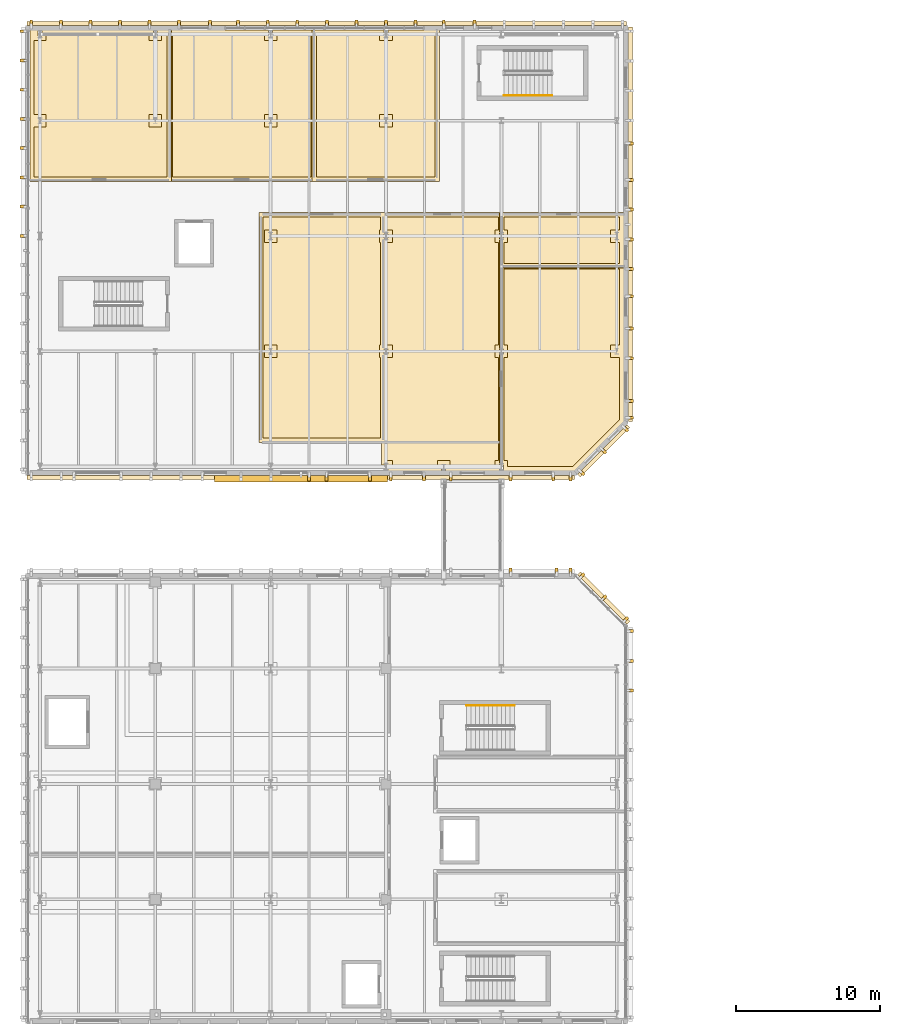
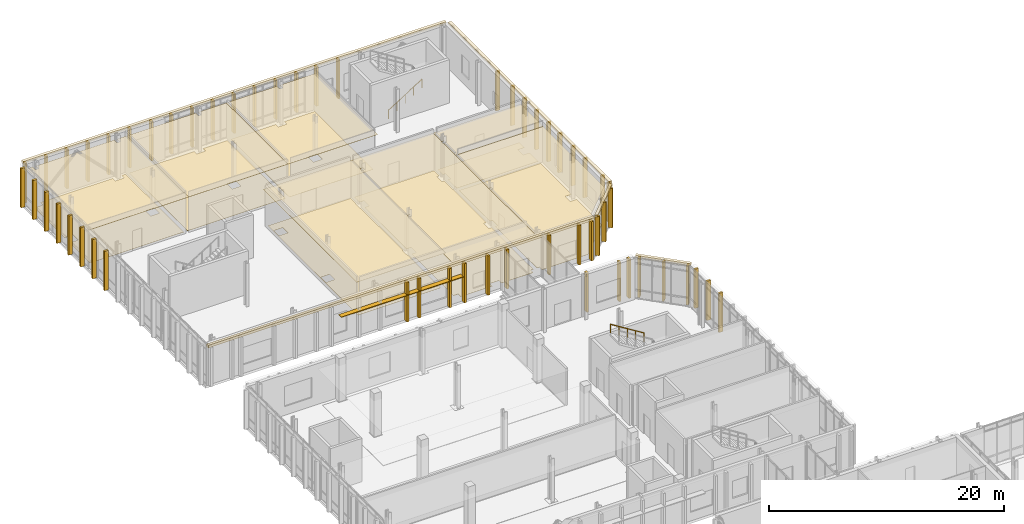
# One storey, part 95 of 100: 74 coverings, 2 railings, 1 shading device.
"""IFC4 building model written with IfcOpenShell, lengths in metres."""

from ifc_helpers import new_model, si_unit, direction, frame, origin, origin_2d, place, context, subcontext, project, spatial, polyline, rectangle, circle, outline, extrude, material, layer, layer_set, type_object, element, save


model = new_model("IFC4")

# Units and contexts
model_context = context("Model", 3, precision=1e-05, world=origin(), true_north=direction((0.0, 1.0)))
body_context = subcontext(model_context, "Body", "Model", "MODEL_VIEW")
ifc_project = project(units=[si_unit("LENGTHUNIT", "METRE"), si_unit("AREAUNIT", "SQUARE_METRE"), si_unit("VOLUMEUNIT", "CUBIC_METRE"), si_unit("PLANEANGLEUNIT", "RADIAN"), si_unit("MASSUNIT", "GRAM", prefix="KILO")], contexts=[model_context])

# Site, building, storey
site_placement = place(None, origin())
site = spatial("IfcSite", under=ifc_project, at=site_placement, CompositionType="ELEMENT")
building_placement = place(site_placement, origin())
building = spatial("IfcBuilding", under=site, at=building_placement, Name="Cymarion Research Institute", CompositionType="ELEMENT")
storey_placement = place(building_placement, frame((0.0, 0.0, 4.800048828125)))
storey = spatial("IfcBuildingStorey", under=building, at=storey_placement, Name="L01", CompositionType="ELEMENT", Elevation=4.800048828125)

# Coverings
ifc_material_1 = material(Name="Micro-perforated mineral acoustic ceiling tile", Category="gypsum")
ifc_layer_1 = layer(ifc_material_1, 0.030029296875)
ifc_layer_set_1 = layer_set([ifc_layer_1], Name="Micro-perforated mineral acoustic ceiling tile")
covering_type_1 = type_object("IfcCoveringType", Name="ACOUSTIC MICRO-PERFORATED SUSPENDED CEILING CLG-01", PredefinedType="CEILING", material=ifc_layer_set_1)
covering_1_placement = place(storey_placement, frame((0.0, 0.0, 3.699951171875)))
element("IfcCovering", 1, at=covering_1_placement, inside=storey, type_object=covering_type_1, Name="L01 L01 Climate & Earth-System Dry Modelling Laboratory acoustic ceiling", PredefinedType="CEILING", context=body_context, shape_type="SweptSolid", body=[
    extrude(outline(polyline([(30.514892578125, 103.114990234375), (30.514892578125, 101.635009765625), (30.465087890625, 101.635009765625), (30.465087890625, 101.364990234375), (30.514892578125, 101.364990234375), (30.514892578125, 93.635009765625), (30.465087890625, 93.635009765625), (30.465087890625, 93.364990234375), (30.514892578125, 93.364990234375), (30.514892578125, 87.18505859375), (21.784912109375, 87.18505859375), (21.784912109375, 103.114990234375), (30.514892578125, 103.114990234375)])), origin(), (0.0, 0.0, 1.0), 0.030029296875),
])
covering_2_placement = place(storey_placement, frame((0.0, 0.0, 3.699951171875)))
element("IfcCovering", 2, at=covering_2_placement, inside=storey, type_object=covering_type_1, Name="L01 L01 High-Performance Computing & Cryo-Data Room acoustic ceiling", PredefinedType="CEILING", context=body_context, shape_type="SweptSolid", body=[
    extrude(outline(polyline([(38.715087890625, 101.635009765625), (38.465087890625, 101.635009765625), (38.465087890625, 101.364990234375), (38.715087890625, 101.364990234375), (38.715087890625, 93.635009765625), (38.465087890625, 93.635009765625), (38.465087890625, 93.364990234375), (38.715087890625, 93.364990234375), (38.715087890625, 85.635009765625), (38.465087890625, 85.635009765625), (38.465087890625, 85.205078125), (34.735107421875, 85.205078125), (34.735107421875, 85.635009765625), (34.465087890625, 85.635009765625), (34.465087890625, 85.205078125), (30.735107421875, 85.205078125), (30.735107421875, 85.635009765625), (30.284912109375, 85.635009765625), (30.284912109375, 93.364990234375), (30.735107421875, 93.364990234375), (30.735107421875, 93.635009765625), (30.284912109375, 93.635009765625), (30.284912109375, 101.364990234375), (30.735107421875, 101.364990234375), (30.735107421875, 101.635009765625), (30.284912109375, 101.635009765625), (30.284912109375, 103.114990234375), (38.715087890625, 103.114990234375), (38.715087890625, 101.635009765625)])), origin(), (0.0, 0.0, 1.0), 0.030029296875),
])
covering_3_placement = place(storey_placement, frame((0.0, 0.0, 3.699951171875)))
element("IfcCovering", 3, at=covering_3_placement, inside=storey, type_object=covering_type_1, Name="L01 L01 Cryo-Data Cold Tape & UPS Equipment Room acoustic ceiling", PredefinedType="CEILING", context=body_context, shape_type="SweptSolid", body=[
    extrude(outline(polyline([(47.094970703125, 88.626220703125), (43.673583984375, 85.205078125), (38.735107421875, 85.205078125), (38.735107421875, 85.635009765625), (38.485107421875, 85.635009765625), (38.485107421875, 93.364990234375), (38.735107421875, 93.364990234375), (38.735107421875, 93.635009765625), (38.485107421875, 93.635009765625), (38.485107421875, 99.514892578125), (47.094970703125, 99.514892578125), (47.094970703125, 88.626220703125)])), origin(), (0.0, 0.0, 1.0), 0.030029296875),
])
covering_4_placement = place(storey_placement, frame((0.0, 0.0, 3.699951171875)))
element("IfcCovering", 4, at=covering_4_placement, inside=storey, type_object=covering_type_1, Name="L01 L01 Computational Wing Accessible WC acoustic ceiling", PredefinedType="CEILING", context=body_context, shape_type="SweptSolid", body=[
    extrude(outline(polyline([(38.735107421875, 101.364990234375), (38.735107421875, 101.635009765625), (38.485107421875, 101.635009765625), (38.485107421875, 103.114990234375), (47.094970703125, 103.114990234375), (47.094970703125, 99.284912109375), (38.485107421875, 99.284912109375), (38.485107421875, 101.364990234375), (38.735107421875, 101.364990234375)])), origin(), (0.0, 0.0, 1.0), 0.030029296875),
])
covering_5_placement = place(storey_placement, frame((0.0, 0.0, 3.699951171875)))
element("IfcCovering", 5, at=covering_5_placement, inside=storey, type_object=covering_type_1, Name="L01 L01 Principal Investigator Offices North-West acoustic ceiling", PredefinedType="CEILING", context=body_context, shape_type="SweptSolid", body=[
    extrude(outline(polyline([(5.905029296875, 115.794921875), (6.465087890625, 115.794921875), (6.465087890625, 115.364990234375), (6.735107421875, 115.364990234375), (6.735107421875, 115.794921875), (14.465087890625, 115.794921875), (14.465087890625, 115.364990234375), (14.735107421875, 115.364990234375), (14.735107421875, 115.794921875), (15.715087890625, 115.794921875), (15.715087890625, 105.284912109375), (5.905029296875, 105.284912109375), (5.905029296875, 115.794921875)])), origin(), (0.0, 0.0, 1.0), 0.030029296875),
])
covering_6_placement = place(storey_placement, frame((0.0, 0.0, 3.699951171875)))
element("IfcCovering", 6, at=covering_6_placement, inside=storey, type_object=covering_type_1, Name="L01 L01 Postdoctoral Dry Write-Up & Reading Bay acoustic ceiling", PredefinedType="CEILING", context=body_context, shape_type="SweptSolid", body=[
    extrude(outline(polyline([(15.485107421875, 115.794921875), (22.465087890625, 115.794921875), (22.465087890625, 115.364990234375), (22.735107421875, 115.364990234375), (22.735107421875, 115.794921875), (25.715087890625, 115.794921875), (25.715087890625, 105.284912109375), (15.485107421875, 105.284912109375), (15.485107421875, 115.794921875)])), origin(), (0.0, 0.0, 1.0), 0.030029296875),
])
covering_7_placement = place(storey_placement, frame((0.0, 0.0, 3.699951171875)))
element("IfcCovering", 7, at=covering_7_placement, inside=storey, type_object=covering_type_1, Name="L01 L01 Scientific Visualization & Machine-Learning Dry Lab acoustic ceiling", PredefinedType="CEILING", context=body_context, shape_type="SweptSolid", body=[
    extrude(outline(polyline([(25.485107421875, 115.794921875), (30.465087890625, 115.794921875), (30.465087890625, 115.364990234375), (30.735107421875, 115.364990234375), (30.735107421875, 115.794921875), (34.31494140625, 115.794921875), (34.31494140625, 105.284912109375), (25.485107421875, 105.284912109375), (25.485107421875, 115.794921875)])), origin(), (0.0, 0.0, 1.0), 0.030029296875),
])

# Shading device
ifc_material_2 = material(Name="Anodised aluminium solar louvre jalousie", Category="aluminium")
ifc_layer_2 = layer(ifc_material_2, 0.06005859375)
ifc_layer_set_2 = layer_set([ifc_layer_2], Name="Anodised aluminium solar louvre jalousie")
shading_device_type = type_object("IfcShadingDeviceType", Name="ANODISED ALUMINIUM HORIZONTAL LOUVRE JALOUSIE SHD3 450MM", PredefinedType="JALOUSIE", material=ifc_layer_set_2)
shading_device_placement = place(storey_placement, frame((24.699951171875, 84.673095703125, 2.7900390625), z_axis=(0.0, 0.0, 1.0), x_axis=(0.0, -1.0, 0.0)))
element("IfcShadingDevice", 8, at=shading_device_placement, inside=storey, type_object=shading_device_type, Name="L01 V5 south aluminium sunshade SHD3 #3", PredefinedType="JALOUSIE", context=body_context, shape_type="SweptSolid", body=[
    extrude(rectangle(XDim=0.449951171875, YDim=12.0, at=origin_2d()), origin(), (0.0, 0.0, 1.0), 0.06005859375),
])

# Coverings
ifc_material_3 = material(Name="Precast concrete C45/55 architectural white", Category="concrete")
ifc_layer_3 = layer(ifc_material_3, 0.260009765625)
ifc_layer_set_3 = layer_set([ifc_layer_3], Name="Precast concrete C45/55 architectural white")
covering_type_2 = type_object("IfcCoveringType", Name="SCULPTURAL WHITE PRECAST CONCRETE SPANDREL BROW BAND RIB2 280MM", PredefinedType="CLADDING", material=ifc_layer_set_3)
covering_8_placement = place(storey_placement, frame((45.700439453125, 76.400390625, 4.08984375), z_axis=(0.0, 0.0, 1.0), x_axis=(0.707106781187, 0.707106781187, 0.0)))
element("IfcCovering", 9, at=covering_8_placement, inside=storey, type_object=covering_type_2, Name="L01 V4 precast spandrel brow band RIB2 #325", PredefinedType="CLADDING", context=body_context, shape_type="SweptSolid", body=[
    extrude(rectangle(XDim=0.280029296875, YDim=4.85107421875, at=origin_2d()), origin(), (0.0, 0.0, 1.0), 0.260009765625),
])
covering_9_placement = place(storey_placement, frame((24.699951171875, 84.758056640625, 4.08984375), z_axis=(0.0, 0.0, 1.0), x_axis=(0.0, -1.0, 0.0)))
element("IfcCovering", 10, at=covering_9_placement, inside=storey, type_object=covering_type_2, Name="L01 V5 precast spandrel brow band RIB2 #365", PredefinedType="CLADDING", context=body_context, shape_type="SweptSolid", body=[
    extrude(rectangle(XDim=0.280029296875, YDim=37.9599609375, at=origin_2d()), origin(), (0.0, 0.0, 1.0), 0.260009765625),
])
covering_10_placement = place(storey_placement, frame((45.700439453125, 86.599609375, 4.08984375), z_axis=(0.0, 0.0, 1.0), x_axis=(0.707106781187, -0.707106781187, 0.0)))
element("IfcCovering", 11, at=covering_10_placement, inside=storey, type_object=covering_type_2, Name="L01 V5 precast spandrel brow band RIB2 #384", PredefinedType="CLADDING", context=body_context, shape_type="SweptSolid", body=[
    extrude(rectangle(XDim=0.280029296875, YDim=4.85107421875, at=origin_2d()), origin(), (0.0, 0.0, 1.0), 0.260009765625),
])
covering_11_placement = place(storey_placement, frame((47.5419921875, 102.300048828125, 4.08984375), z_axis=(0.0, 0.0, 1.0), x_axis=(1.0, 0.0, 0.0)))
element("IfcCovering", 12, at=covering_11_placement, inside=storey, type_object=covering_type_2, Name="L01 V5 precast spandrel brow band RIB2 #388", PredefinedType="CLADDING", context=body_context, shape_type="SweptSolid", body=[
    extrude(rectangle(XDim=0.280029296875, YDim=27.360107421875, at=origin_2d()), origin(), (0.0, 0.0, 1.0), 0.260009765625),
])
covering_12_placement = place(storey_placement, frame((26.5, 116.241943359375, 4.08984375), z_axis=(0.0, 0.0, 1.0), x_axis=(0.0, 1.0, 0.0)))
element("IfcCovering", 13, at=covering_12_placement, inside=storey, type_object=covering_type_2, Name="L01 V5 precast spandrel brow band RIB2 #403", PredefinedType="CLADDING", context=body_context, shape_type="SweptSolid", body=[
    extrude(rectangle(XDim=0.280029296875, YDim=41.56005859375, at=origin_2d()), origin(), (0.0, 0.0, 1.0), 0.260009765625),
])
ifc_layer_4 = layer(ifc_material_3, 0.199951171875)
ifc_layer_set_4 = layer_set([ifc_layer_4], Name="Precast concrete C45/55 architectural white")
covering_type_3 = type_object("IfcCoveringType", Name="SCULPTURAL WHITE PRECAST CONCRETE VERTICAL RIB RIB1 380X200", PredefinedType="CLADDING", material=ifc_layer_set_4)
for number, where, z_axis, x_axis, name in (
    (14, (47.592041015625, 69.976806640625, 0.009765625), (0.0, 0.0, 1.0), (1.0, 0.0, 0.0), "L01 V4 sculptural precast vertical rib RIB1 #322"),
    (15, (47.592041015625, 72.03857421875, 0.009765625), (0.0, 0.0, 1.0), (1.0, 0.0, 0.0), "L01 V4 sculptural precast vertical rib RIB1 #323"),
    (16, (47.592041015625, 74.10009765625, 0.009765625), (0.0, 0.0, 1.0), (1.0, 0.0, 0.0), "L01 V4 sculptural precast vertical rib RIB1 #324"),
    (17, (47.2529296875, 74.918701171875, 0.009765625), (0.0, 0.0, 1.0), (0.707106781187, 0.707106781187, 0.0), "L01 V4 sculptural precast vertical rib RIB1 #326"),
    (18, (45.73583984375, 76.435791015625, 0.009765625), (0.0, 0.0, 1.0), (0.707106781187, 0.707106781187, 0.0), "L01 V4 sculptural precast vertical rib RIB1 #327"),
    (19, (44.218505859375, 77.952880859375, 0.009765625), (0.0, 0.0, 1.0), (0.707106781187, 0.707106781187, 0.0), "L01 V4 sculptural precast vertical rib RIB1 #328"),
    (20, (43.39990234375, 78.2919921875, 0.009765625), (0.0, 0.0, 1.0), (0.0, 1.0, 0.0), "L01 V4 sculptural precast vertical rib RIB1 #330"),
    (21, (42.438232421875, 78.2919921875, 0.009765625), (0.0, 0.0, 1.0), (0.0, 1.0, 0.0), "L01 V4 sculptural precast vertical rib RIB1 #331"),
    (22, (39.244384765625, 78.2919921875, 0.009765625), (0.0, 0.0, 1.0), (0.0, 1.0, 0.0), "L01 V4 sculptural precast vertical rib RIB1 #332"),
    (23, (25.27001953125, 84.7080078125, 0.009765625), (0.0, 0.0, 1.0), (0.0, -1.0, 0.0), "L01 V5 sculptural precast vertical rib RIB1 #375"),
    (24, (26.47998046875, 84.7080078125, 0.009765625), (0.0, 0.0, 1.0), (0.0, -1.0, 0.0), "L01 V5 sculptural precast vertical rib RIB1 #376"),
    (25, (29.47998046875, 84.7080078125, 0.009765625), (0.0, 0.0, 1.0), (0.0, -1.0, 0.0), "L01 V5 sculptural precast vertical rib RIB1 #377"),
    (26, (30.933349609375, 84.7080078125, 0.009765625), (0.0, 0.0, 1.0), (0.0, -1.0, 0.0), "L01 V5 sculptural precast vertical rib RIB1 #378"),
    (27, (33.22998046875, 84.7080078125, 0.009765625), (0.0, 0.0, 1.0), (0.0, -1.0, 0.0), "L01 V5 sculptural precast vertical rib RIB1 #379"),
    (28, (35.0888671875, 84.7080078125, 0.009765625), (0.0, 0.0, 1.0), (0.0, -1.0, 0.0), "L01 V5 sculptural precast vertical rib RIB1 #380"),
    (29, (39.244384765625, 84.7080078125, 0.009765625), (0.0, 0.0, 1.0), (0.0, -1.0, 0.0), "L01 V5 sculptural precast vertical rib RIB1 #381"),
    (30, (42.199951171875, 84.7080078125, 0.009765625), (0.0, 0.0, 1.0), (0.0, -1.0, 0.0), "L01 V5 sculptural precast vertical rib RIB1 #382"),
    (31, (43.39990234375, 84.7080078125, 0.009765625), (0.0, 0.0, 1.0), (0.0, -1.0, 0.0), "L01 V5 sculptural precast vertical rib RIB1 #383"),
    (32, (44.218505859375, 85.047119140625, 0.009765625), (0.0, 0.0, 1.0), (0.707106781187, -0.707106781187, 0.0), "L01 V5 sculptural precast vertical rib RIB1 #385"),
    (33, (45.73583984375, 86.564208984375, 0.009765625), (0.0, 0.0, 1.0), (0.707106781187, -0.707106781187, 0.0), "L01 V5 sculptural precast vertical rib RIB1 #386"),
    (34, (47.2529296875, 88.081298828125, 0.009765625), (0.0, 0.0, 1.0), (0.707106781187, -0.707106781187, 0.0), "L01 V5 sculptural precast vertical rib RIB1 #387"),
    (35, (47.592041015625, 88.89990234375, 0.009765625), (0.0, 0.0, 1.0), (1.0, 0.0, 0.0), "L01 V5 sculptural precast vertical rib RIB1 #389"),
    (36, (47.592041015625, 90.061767578125, 0.009765625), (0.0, 0.0, 1.0), (1.0, 0.0, 0.0), "L01 V5 sculptural precast vertical rib RIB1 #390"),
    (37, (47.592041015625, 93.023193359375, 0.009765625), (0.0, 0.0, 1.0), (1.0, 0.0, 0.0), "L01 V5 sculptural precast vertical rib RIB1 #391"),
    (38, (47.592041015625, 95.084716796875, 0.009765625), (0.0, 0.0, 1.0), (1.0, 0.0, 0.0), "L01 V5 sculptural precast vertical rib RIB1 #392"),
    (39, (47.592041015625, 97.31982421875, 0.009765625), (0.0, 0.0, 1.0), (1.0, 0.0, 0.0), "L01 V5 sculptural precast vertical rib RIB1 #393"),
    (40, (47.592041015625, 99.207763671875, 0.009765625), (0.0, 0.0, 1.0), (1.0, 0.0, 0.0), "L01 V5 sculptural precast vertical rib RIB1 #394"),
    (41, (47.592041015625, 101.269287109375, 0.009765625), (0.0, 0.0, 1.0), (1.0, 0.0, 0.0), "L01 V5 sculptural precast vertical rib RIB1 #395"),
    (42, (47.592041015625, 103.330810546875, 0.009765625), (0.0, 0.0, 1.0), (1.0, 0.0, 0.0), "L01 V5 sculptural precast vertical rib RIB1 #396"),
    (43, (47.592041015625, 105.392333984375, 0.009765625), (0.0, 0.0, 1.0), (1.0, 0.0, 0.0), "L01 V5 sculptural precast vertical rib RIB1 #397"),
    (44, (47.592041015625, 107.9296875, 0.009765625), (0.0, 0.0, 1.0), (1.0, 0.0, 0.0), "L01 V5 sculptural precast vertical rib RIB1 #398"),
    (45, (36.75, 116.2919921875, 0.009765625), (0.0, 0.0, 1.0), (0.0, 1.0, 0.0), "L01 V5 sculptural precast vertical rib RIB1 #409"),
    (46, (34.610107421875, 116.2919921875, 0.009765625), (0.0, 0.0, 1.0), (0.0, 1.0, 0.0), "L01 V5 sculptural precast vertical rib RIB1 #410"),
    (47, (32.64990234375, 116.2919921875, 0.009765625), (0.0, 0.0, 1.0), (0.0, 1.0, 0.0), "L01 V5 sculptural precast vertical rib RIB1 #411"),
    (48, (30.60009765625, 116.2919921875, 0.009765625), (0.0, 0.0, 1.0), (0.0, 1.0, 0.0), "L01 V5 sculptural precast vertical rib RIB1 #412"),
    (49, (28.550048828125, 116.2919921875, 0.009765625), (0.0, 0.0, 1.0), (0.0, 1.0, 0.0), "L01 V5 sculptural precast vertical rib RIB1 #413"),
    (50, (26.5, 116.2919921875, 0.009765625), (0.0, 0.0, 1.0), (0.0, 1.0, 0.0), "L01 V5 sculptural precast vertical rib RIB1 #414"),
    (51, (24.449951171875, 116.2919921875, 0.009765625), (0.0, 0.0, 1.0), (0.0, 1.0, 0.0), "L01 V5 sculptural precast vertical rib RIB1 #415"),
    (52, (22.39990234375, 116.2919921875, 0.009765625), (0.0, 0.0, 1.0), (0.0, 1.0, 0.0), "L01 V5 sculptural precast vertical rib RIB1 #416"),
    (53, (20.35009765625, 116.2919921875, 0.009765625), (0.0, 0.0, 1.0), (0.0, 1.0, 0.0), "L01 V5 sculptural precast vertical rib RIB1 #417"),
    (54, (18.39306640625, 116.2919921875, 0.009765625), (0.0, 0.0, 1.0), (0.0, 1.0, 0.0), "L01 V5 sculptural precast vertical rib RIB1 #418"),
    (55, (16.25, 116.2919921875, 0.009765625), (0.0, 0.0, 1.0), (0.0, 1.0, 0.0), "L01 V5 sculptural precast vertical rib RIB1 #419"),
    (56, (14.199951171875, 116.2919921875, 0.009765625), (0.0, 0.0, 1.0), (0.0, 1.0, 0.0), "L01 V5 sculptural precast vertical rib RIB1 #420"),
    (57, (12.14990234375, 116.2919921875, 0.009765625), (0.0, 0.0, 1.0), (0.0, 1.0, 0.0), "L01 V5 sculptural precast vertical rib RIB1 #421"),
    (58, (10.10009765625, 116.2919921875, 0.009765625), (0.0, 0.0, 1.0), (0.0, 1.0, 0.0), "L01 V5 sculptural precast vertical rib RIB1 #422"),
    (59, (8.050048828125, 116.2919921875, 0.009765625), (0.0, 0.0, 1.0), (0.0, 1.0, 0.0), "L01 V5 sculptural precast vertical rib RIB1 #423"),
    (60, (6.0, 116.2919921875, 0.009765625), (0.0, 0.0, 1.0), (0.0, 1.0, 0.0), "L01 V5 sculptural precast vertical rib RIB1 #424"),
    (61, (5.407958984375, 115.699951171875, 0.009765625), (0.0, 0.0, 1.0), (-1.0, 0.0, 0.0), "L01 V5 sculptural precast vertical rib RIB1 #426"),
    (62, (5.407958984375, 113.67333984375, 0.009765625), (0.0, 0.0, 1.0), (-1.0, 0.0, 0.0), "L01 V5 sculptural precast vertical rib RIB1 #427"),
    (63, (5.407958984375, 111.646728515625, 0.009765625), (0.0, 0.0, 1.0), (-1.0, 0.0, 0.0), "L01 V5 sculptural precast vertical rib RIB1 #428"),
    (64, (5.407958984375, 109.6201171875, 0.009765625), (0.0, 0.0, 1.0), (-1.0, 0.0, 0.0), "L01 V5 sculptural precast vertical rib RIB1 #429"),
    (65, (5.407958984375, 107.59326171875, 0.009765625), (0.0, 0.0, 1.0), (-1.0, 0.0, 0.0), "L01 V5 sculptural precast vertical rib RIB1 #430"),
    (66, (5.407958984375, 105.566650390625, 0.009765625), (0.0, 0.0, 1.0), (-1.0, 0.0, 0.0), "L01 V5 sculptural precast vertical rib RIB1 #431"),
    (67, (5.407958984375, 103.5400390625, 0.009765625), (0.0, 0.0, 1.0), (-1.0, 0.0, 0.0), "L01 V5 sculptural precast vertical rib RIB1 #432"),
    (68, (5.407958984375, 101.51318359375, 0.009765625), (0.0, 0.0, 1.0), (-1.0, 0.0, 0.0), "L01 V5 sculptural precast vertical rib RIB1 #433"),
):
    element("IfcCovering", number, at=place(storey_placement, frame(where, z_axis=z_axis, x_axis=x_axis)), inside=storey, type_object=covering_type_3, Name=name, PredefinedType="CLADDING", context=body_context, shape_type="SweptSolid", body=[
        extrude(rectangle(XDim=0.3798828125, YDim=0.199951171875, at=origin_2d()), origin(), (0.0, 0.0, 1.0), 4.074951171875),
    ])
ifc_material_4 = material(Name="Seamless dissipative epoxy resin flooring", Category="resin")
ifc_layer_5 = layer(ifc_material_4, 0.02001953125)
ifc_layer_set_5 = layer_set([ifc_layer_5], Name="Seamless dissipative epoxy resin flooring")
covering_type_4 = type_object("IfcCoveringType", Name="SEAMLESS ESD EPOXY LABORATORY FLOORING FLR-01", PredefinedType="FLOORING", material=ifc_layer_set_5)
covering_13_placement = place(storey_placement, origin())
element("IfcCovering", 69, at=covering_13_placement, inside=storey, type_object=covering_type_4, Name="L01 L01 Climate & Earth-System Dry Modelling Laboratory ESD epoxy flooring", PredefinedType="FLOORING", context=body_context, shape_type="SweptSolid", body=[
    extrude(outline(polyline([(22.0849609375, 102.81494140625), (30.215087890625, 102.81494140625), (30.215087890625, 101.93505859375), (30.1650390625, 101.93505859375), (30.1650390625, 101.06494140625), (30.215087890625, 101.06494140625), (30.215087890625, 93.93505859375), (30.1650390625, 93.93505859375), (30.1650390625, 93.06494140625), (30.215087890625, 93.06494140625), (30.215087890625, 87.485107421875), (22.0849609375, 87.485107421875), (22.0849609375, 102.81494140625)]), holes=[polyline([(23.034912109375, 93.93505859375), (22.1650390625, 93.93505859375), (22.1650390625, 93.06494140625), (23.034912109375, 93.06494140625), (23.034912109375, 93.93505859375)]), polyline([(23.034912109375, 101.93505859375), (22.1650390625, 101.93505859375), (22.1650390625, 101.06494140625), (23.034912109375, 101.06494140625), (23.034912109375, 101.93505859375)])]), origin(), (0.0, 0.0, 1.0), 0.02001953125),
])
covering_14_placement = place(storey_placement, origin())
element("IfcCovering", 70, at=covering_14_placement, inside=storey, type_object=covering_type_4, Name="L01 L01 High-Performance Computing & Cryo-Data Room ESD epoxy flooring", PredefinedType="FLOORING", context=body_context, shape_type="SweptSolid", body=[
    extrude(outline(polyline([(38.4150390625, 102.81494140625), (38.4150390625, 101.93505859375), (38.1650390625, 101.93505859375), (38.1650390625, 101.06494140625), (38.4150390625, 101.06494140625), (38.4150390625, 93.93505859375), (38.1650390625, 93.93505859375), (38.1650390625, 93.06494140625), (38.4150390625, 93.06494140625), (38.4150390625, 85.93505859375), (38.1650390625, 85.93505859375), (38.1650390625, 85.5048828125), (35.034912109375, 85.5048828125), (35.034912109375, 85.93505859375), (34.1650390625, 85.93505859375), (34.1650390625, 85.5048828125), (31.034912109375, 85.5048828125), (31.034912109375, 85.93505859375), (30.5849609375, 85.93505859375), (30.5849609375, 93.06494140625), (31.034912109375, 93.06494140625), (31.034912109375, 93.93505859375), (30.5849609375, 93.93505859375), (30.5849609375, 101.06494140625), (31.034912109375, 101.06494140625), (31.034912109375, 101.93505859375), (30.5849609375, 101.93505859375), (30.5849609375, 102.81494140625), (38.4150390625, 102.81494140625)])), origin(), (0.0, 0.0, 1.0), 0.02001953125),
])
covering_15_placement = place(storey_placement, origin())
element("IfcCovering", 71, at=covering_15_placement, inside=storey, type_object=covering_type_4, Name="L01 L01 Cryo-Data Cold Tape & UPS Equipment Room ESD epoxy flooring", PredefinedType="FLOORING", context=body_context, shape_type="SweptSolid", body=[
    extrude(outline(polyline([(46.794921875, 93.06494140625), (46.794921875, 88.75048828125), (43.54931640625, 85.5048828125), (39.034912109375, 85.5048828125), (39.034912109375, 85.93505859375), (38.784912109375, 85.93505859375), (38.784912109375, 93.06494140625), (39.034912109375, 93.06494140625), (39.034912109375, 93.93505859375), (38.784912109375, 93.93505859375), (38.784912109375, 99.215087890625), (46.794921875, 99.215087890625), (46.794921875, 93.93505859375), (46.1650390625, 93.93505859375), (46.1650390625, 93.06494140625), (46.794921875, 93.06494140625)])), origin(), (0.0, 0.0, 1.0), 0.02001953125),
])
covering_16_placement = place(storey_placement, origin())
element("IfcCovering", 72, at=covering_16_placement, inside=storey, type_object=covering_type_4, Name="L01 L01 Computational Wing Accessible WC ESD epoxy flooring", PredefinedType="FLOORING", context=body_context, shape_type="SweptSolid", body=[
    extrude(outline(polyline([(38.784912109375, 101.06494140625), (39.034912109375, 101.06494140625), (39.034912109375, 101.93505859375), (38.784912109375, 101.93505859375), (38.784912109375, 102.81494140625), (46.794921875, 102.81494140625), (46.794921875, 101.93505859375), (46.1650390625, 101.93505859375), (46.1650390625, 101.06494140625), (46.794921875, 101.06494140625), (46.794921875, 99.5849609375), (38.784912109375, 99.5849609375), (38.784912109375, 101.06494140625)])), origin(), (0.0, 0.0, 1.0), 0.02001953125),
])
covering_17_placement = place(storey_placement, origin())
element("IfcCovering", 73, at=covering_17_placement, inside=storey, type_object=covering_type_4, Name="L01 L01 Principal Investigator Offices North-West ESD epoxy flooring", PredefinedType="FLOORING", context=body_context, shape_type="SweptSolid", body=[
    extrude(outline(polyline([(6.205078125, 105.5849609375), (6.205078125, 109.06494140625), (7.034912109375, 109.06494140625), (7.034912109375, 109.93505859375), (6.205078125, 109.93505859375), (6.205078125, 115.06494140625), (7.034912109375, 115.06494140625), (7.034912109375, 115.4951171875), (14.1650390625, 115.4951171875), (14.1650390625, 115.06494140625), (15.034912109375, 115.06494140625), (15.034912109375, 115.4951171875), (15.4150390625, 115.4951171875), (15.4150390625, 105.5849609375), (6.205078125, 105.5849609375)]), holes=[polyline([(15.034912109375, 109.93505859375), (14.1650390625, 109.93505859375), (14.1650390625, 109.06494140625), (15.034912109375, 109.06494140625), (15.034912109375, 109.93505859375)])]), origin(), (0.0, 0.0, 1.0), 0.02001953125),
])
covering_18_placement = place(storey_placement, origin())
element("IfcCovering", 74, at=covering_18_placement, inside=storey, type_object=covering_type_4, Name="L01 L01 Postdoctoral Dry Write-Up & Reading Bay ESD epoxy flooring", PredefinedType="FLOORING", context=body_context, shape_type="SweptSolid", body=[
    extrude(outline(polyline([(15.784912109375, 105.5849609375), (15.784912109375, 115.4951171875), (22.1650390625, 115.4951171875), (22.1650390625, 115.06494140625), (23.034912109375, 115.06494140625), (23.034912109375, 115.4951171875), (25.4150390625, 115.4951171875), (25.4150390625, 105.5849609375), (15.784912109375, 105.5849609375)]), holes=[polyline([(23.034912109375, 109.93505859375), (22.1650390625, 109.93505859375), (22.1650390625, 109.06494140625), (23.034912109375, 109.06494140625), (23.034912109375, 109.93505859375)])]), origin(), (0.0, 0.0, 1.0), 0.02001953125),
])
covering_19_placement = place(storey_placement, origin())
element("IfcCovering", 75, at=covering_19_placement, inside=storey, type_object=covering_type_4, Name="L01 L01 Scientific Visualization & Machine-Learning Dry Lab ESD epoxy flooring", PredefinedType="FLOORING", context=body_context, shape_type="SweptSolid", body=[
    extrude(outline(polyline([(25.784912109375, 105.5849609375), (25.784912109375, 115.4951171875), (30.1650390625, 115.4951171875), (30.1650390625, 115.06494140625), (31.034912109375, 115.06494140625), (31.034912109375, 115.4951171875), (34.014892578125, 115.4951171875), (34.014892578125, 105.5849609375), (25.784912109375, 105.5849609375)]), holes=[polyline([(31.034912109375, 109.93505859375), (30.1650390625, 109.93505859375), (30.1650390625, 109.06494140625), (31.034912109375, 109.06494140625), (31.034912109375, 109.93505859375)])]), origin(), (0.0, 0.0, 1.0), 0.02001953125),
])

# Railings
ifc_material_5 = material(Name="Steel S355", Category="steel")
railing_type = type_object("IfcRailingType", Name="STAINLESS STEEL STAIR HANDRAIL HR1 900MM", PredefinedType="HANDRAIL", material=ifc_material_5)
railing_1_placement = place(storey_placement, frame((39.5, 68.949951171875, 2.4375)))
element("IfcRailing", 76, at=railing_1_placement, inside=storey, type_object=railing_type, Name="L01 ST8 stair handrail 2", PredefinedType="HANDRAIL", context=body_context, shape_type="SweptSolid", body=[
    extrude(circle(Radius=0.02392578125, at=origin_2d()), frame((0.0, 0.0, 0.8759765625), z_axis=(-0.848001828478, 0.0, 0.529993300805), x_axis=(0.0, -1.0, 0.0)), (0.0, 0.0, 1.0), 3.8916015625),
    extrude(circle(Radius=0.02099609375, at=origin_2d()), origin(), (0.0, 0.0, 1.0), 0.851806640625),
    extrude(circle(Radius=0.02099609375, at=origin_2d()), frame((-0.824951171875, 0.0, 0.515625)), (0.0, 0.0, 1.0), 0.851806640625),
    extrude(circle(Radius=0.02099609375, at=origin_2d()), frame((-1.64990234375, 0.0, 1.03125)), (0.0, 0.0, 1.0), 0.851806640625),
    extrude(circle(Radius=0.02099609375, at=origin_2d()), frame((-2.47509765625, 0.0, 1.546875)), (0.0, 0.0, 1.0), 0.851806640625),
    extrude(circle(Radius=0.02099609375, at=origin_2d()), frame((-3.300048828125, 0.0, 2.0625)), (0.0, 0.0, 1.0), 0.851806640625),
])
railing_2_placement = place(storey_placement, frame((38.800048828125, 111.25, 0.1875)))
element("IfcRailing", 77, at=railing_2_placement, inside=storey, type_object=railing_type, Name="L01 ST10 stair handrail 1", PredefinedType="HANDRAIL", context=body_context, shape_type="SweptSolid", body=[
    extrude(circle(Radius=0.02392578125, at=origin_2d()), frame((0.0, 0.0, 0.8759765625), z_axis=(0.848001828478, 0.0, 0.529993300805), x_axis=(0.0, 1.0, 0.0)), (0.0, 0.0, 1.0), 3.8916015625),
    extrude(circle(Radius=0.02099609375, at=origin_2d()), origin(), (0.0, 0.0, 1.0), 0.851806640625),
    extrude(circle(Radius=0.02099609375, at=origin_2d()), frame((0.824951171875, 0.0, 0.515625)), (0.0, 0.0, 1.0), 0.851806640625),
    extrude(circle(Radius=0.02099609375, at=origin_2d()), frame((1.64990234375, 0.0, 1.03125)), (0.0, 0.0, 1.0), 0.851806640625),
    extrude(circle(Radius=0.02099609375, at=origin_2d()), frame((2.47509765625, 0.0, 1.546875)), (0.0, 0.0, 1.0), 0.851806640625),
    extrude(circle(Radius=0.02099609375, at=origin_2d()), frame((3.300048828125, 0.0, 2.0625)), (0.0, 0.0, 1.0), 0.851806640625),
])

save(model, "model.ifc")
